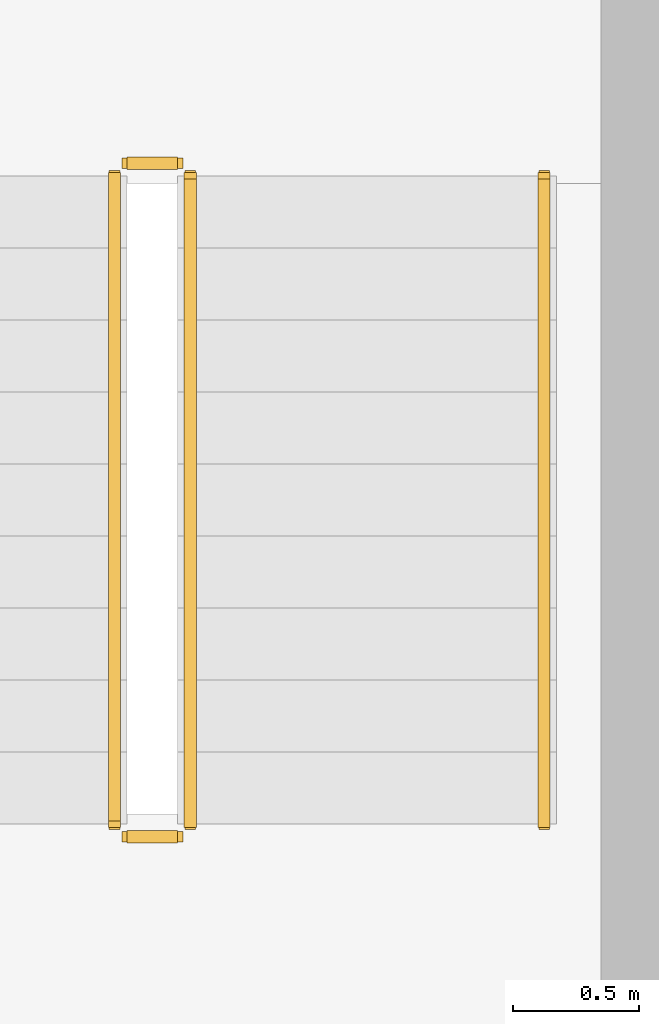
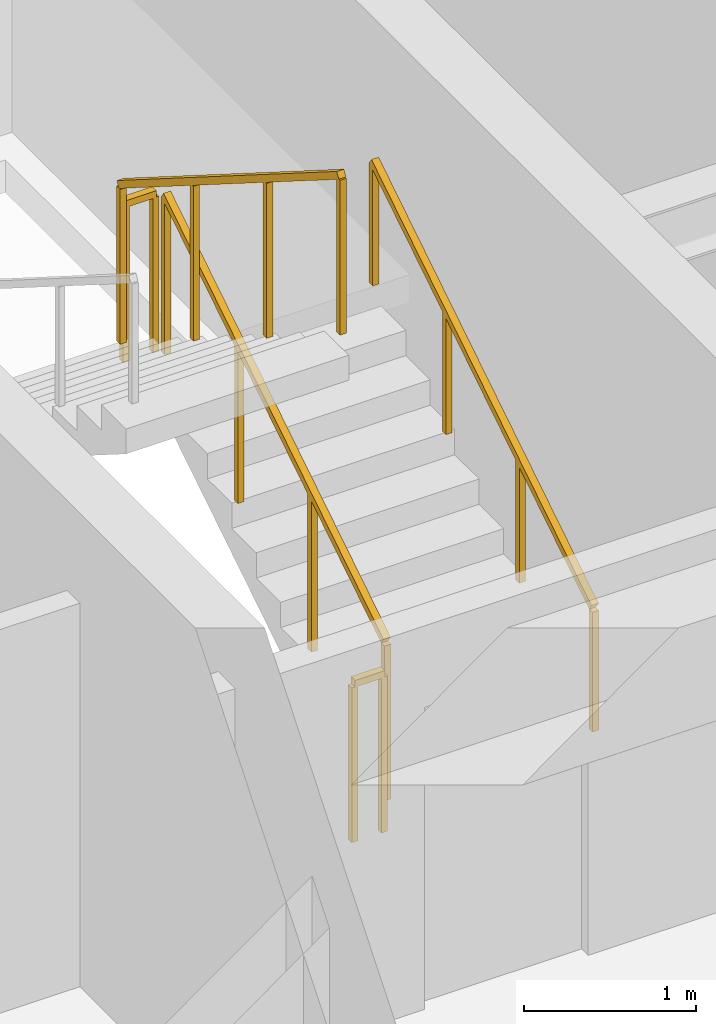
# One storey, part 22 of 22: 5 railings.
"""IFC4 building model written with IfcOpenShell, lengths in metres."""

from ifc_helpers import new_model, si_unit, direction, frame, origin, origin_2d, place, context, subcontext, project, spatial, rectangle, extrude, material, type_object, element, save


model = new_model("IFC4")

# Units and contexts
model_context = context("Model", 3, precision=1e-05, world=origin(), true_north=direction((0.0, 1.0)))
body_context = subcontext(model_context, "Body", "Model", "MODEL_VIEW")
ifc_project = project(units=[si_unit("LENGTHUNIT", "METRE"), si_unit("AREAUNIT", "SQUARE_METRE"), si_unit("VOLUMEUNIT", "CUBIC_METRE"), si_unit("PLANEANGLEUNIT", "RADIAN"), si_unit("MASSUNIT", "GRAM", prefix="KILO")], contexts=[model_context])

# Site, building, storey
site_placement = place(None, origin())
site = spatial("IfcSite", under=ifc_project, at=site_placement, CompositionType="ELEMENT")
building_placement = place(site_placement, origin())
building = spatial("IfcBuilding", under=site, at=building_placement, Name="Sarneth Arch Tower", CompositionType="ELEMENT")
storey_placement = place(building_placement, frame((0.0, 0.0, 287.39990234375)))
storey = spatial("IfcBuildingStorey", under=building, at=storey_placement, Name="L74", CompositionType="ELEMENT", Elevation=287.39990234375)

# Railings
ifc_material_1 = material(Name="Brushed Stainless Steel 304 tubular handrail", Category="steel")
railing_type_1 = type_object("IfcRailingType", Name="RAIL-HANDRAIL-900", PredefinedType="HANDRAIL", material=ifc_material_1)
railing_1_placement = place(storey_placement, frame((58.60009765625, 41.449951171875, 0.18017578125)))
element("IfcRailing", 1, at=railing_1_placement, inside=storey, type_object=railing_type_1, Name="L74 ST-2 stair handrail 1", PredefinedType="HANDRAIL", context=body_context, shape_type="SweptSolid", body=[
    extrude(rectangle(XDim=0.048095703125, YDim=0.048095703125, at=origin_2d()), frame((0.0, 0.0, 0.8759765625), z_axis=(0.0, 0.845502289212, 0.533971796014), x_axis=(-1.0, 0.0, 0.0)), (0.0, 0.0, 1.0), 3.03369140625),
    extrude(rectangle(XDim=0.0419921875, YDim=0.0419921875, at=origin_2d()), origin(), (0.0, 0.0, 1.0), 0.851806640625),
    extrude(rectangle(XDim=0.0419921875, YDim=0.0419921875, at=origin_2d()), frame((0.0, 0.85498046875, 0.5400390625)), (0.0, 0.0, 1.0), 0.851806640625),
    extrude(rectangle(XDim=0.0419921875, YDim=0.0419921875, at=origin_2d()), frame((0.0, 1.7099609375, 1.079833984375)), (0.0, 0.0, 1.0), 0.851806640625),
    extrude(rectangle(XDim=0.0419921875, YDim=0.0419921875, at=origin_2d()), frame((0.0, 2.56494140625, 1.619873046875)), (0.0, 0.0, 1.0), 0.851806640625),
])
ifc_material_2 = material(Name="Painted Steel S275 stair well guard", Category="steel")
railing_type_2 = type_object("IfcRailingType", Name="RAIL-STAIR-GUARD", PredefinedType="GUARDRAIL", material=ifc_material_2)
railing_2_placement = place(storey_placement, frame((57.199951171875, 41.449951171875, 0.18017578125)))
element("IfcRailing", 2, at=railing_2_placement, inside=storey, type_object=railing_type_2, Name="L74 ST-2 stair guard 1", PredefinedType="GUARDRAIL", context=body_context, shape_type="SweptSolid", body=[
    extrude(rectangle(XDim=0.048095703125, YDim=0.048095703125, at=origin_2d()), frame((0.0, 0.0, 1.1259765625), z_axis=(0.0, 0.845502289212, 0.533971796014), x_axis=(-1.0, 0.0, 0.0)), (0.0, 0.0, 1.0), 3.03369140625),
    extrude(rectangle(XDim=0.0419921875, YDim=0.0419921875, at=origin_2d()), origin(), (0.0, 0.0, 1.0), 1.101806640625),
    extrude(rectangle(XDim=0.0419921875, YDim=0.0419921875, at=origin_2d()), frame((0.0, 0.85498046875, 0.5400390625)), (0.0, 0.0, 1.0), 1.101806640625),
    extrude(rectangle(XDim=0.0419921875, YDim=0.0419921875, at=origin_2d()), frame((0.0, 1.7099609375, 1.079833984375)), (0.0, 0.0, 1.0), 1.101806640625),
    extrude(rectangle(XDim=0.0419921875, YDim=0.0419921875, at=origin_2d()), frame((0.0, 2.56494140625, 1.619873046875)), (0.0, 0.0, 1.0), 1.101806640625),
])
railing_3_placement = place(storey_placement, frame((57.14990234375, 44.06494140625, 1.800048828125)))
element("IfcRailing", 3, at=railing_3_placement, inside=storey, type_object=railing_type_2, Name="L74 ST-2 stair guard 2", PredefinedType="GUARDRAIL", context=body_context, shape_type="SweptSolid", body=[
    extrude(rectangle(XDim=0.048095703125, YDim=0.048095703125, at=origin_2d()), frame((0.0, 0.0, 1.1259765625), z_axis=(-1.0, 0.0, 0.0), x_axis=(0.0, -1.0, 0.0)), (0.0, 0.0, 1.0), 0.199951171875),
    extrude(rectangle(XDim=0.0419921875, YDim=0.0419921875, at=origin_2d()), origin(), (0.0, 0.0, 1.0), 1.101806640625),
    extrude(rectangle(XDim=0.0419921875, YDim=0.0419921875, at=origin_2d()), frame((-0.199951171875, 0.0, 0.0)), (0.0, 0.0, 1.0), 1.101806640625),
])
railing_4_placement = place(storey_placement, frame((56.89990234375, 44.014892578125, 1.97998046875)))
element("IfcRailing", 4, at=railing_4_placement, inside=storey, type_object=railing_type_2, Name="L74 ST-2 stair guard 3", PredefinedType="GUARDRAIL", context=body_context, shape_type="SweptSolid", body=[
    extrude(rectangle(XDim=0.048095703125, YDim=0.048095703125, at=origin_2d()), frame((0.0, 0.0, 1.1259765625), z_axis=(0.0, -0.845465955043, 0.534029323973), x_axis=(1.0, 0.0, 0.0)), (0.0, 0.0, 1.0), 3.03369140625),
    extrude(rectangle(XDim=0.0419921875, YDim=0.0419921875, at=origin_2d()), origin(), (0.0, 0.0, 1.0), 1.101806640625),
    extrude(rectangle(XDim=0.0419921875, YDim=0.0419921875, at=origin_2d()), frame((0.0, -0.85498046875, 0.5400390625)), (0.0, 0.0, 1.0), 1.101806640625),
    extrude(rectangle(XDim=0.0419921875, YDim=0.0419921875, at=origin_2d()), frame((0.0, -1.7099609375, 1.080078125)), (0.0, 0.0, 1.0), 1.101806640625),
    extrude(rectangle(XDim=0.0419921875, YDim=0.0419921875, at=origin_2d()), frame((0.0, -2.56494140625, 1.6201171875)), (0.0, 0.0, 1.0), 1.101806640625),
])
railing_5_placement = place(storey_placement, frame((57.14990234375, 41.39990234375, 0.0)))
element("IfcRailing", 5, at=railing_5_placement, inside=storey, type_object=railing_type_2, Name="L74 ST-2 stair guard 4", PredefinedType="GUARDRAIL", context=body_context, shape_type="SweptSolid", body=[
    extrude(rectangle(XDim=0.048095703125, YDim=0.048095703125, at=origin_2d()), frame((0.0, 0.0, 1.1259765625), z_axis=(-1.0, 0.0, 0.0), x_axis=(0.0, -1.0, 0.0)), (0.0, 0.0, 1.0), 0.199951171875),
    extrude(rectangle(XDim=0.0419921875, YDim=0.0419921875, at=origin_2d()), origin(), (0.0, 0.0, 1.0), 1.101806640625),
    extrude(rectangle(XDim=0.0419921875, YDim=0.0419921875, at=origin_2d()), frame((-0.199951171875, 0.0, 0.0)), (0.0, 0.0, 1.0), 1.101806640625),
])

save(model, "model.ifc")
